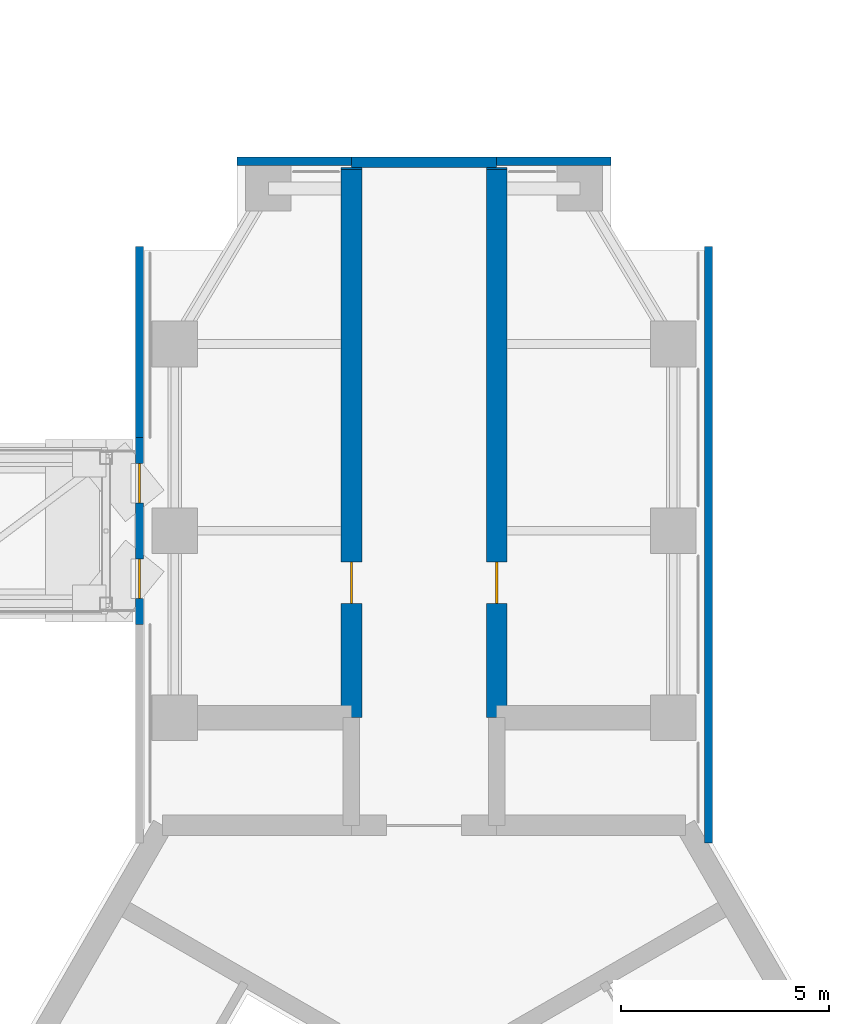
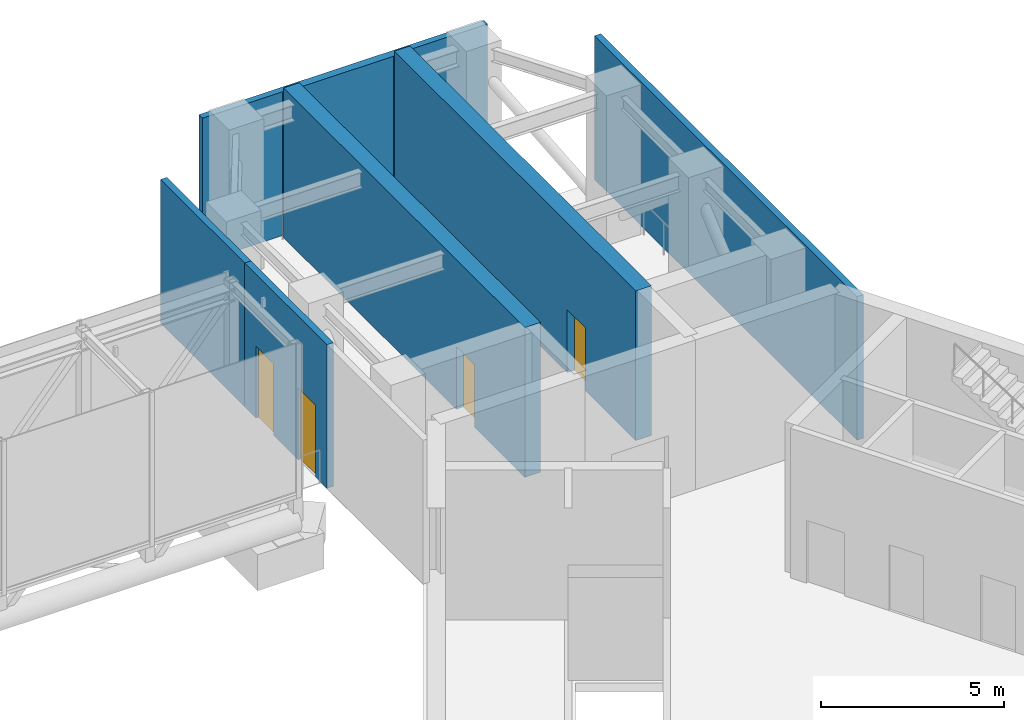
# One storey, part 11 of 15: 10 walls, 4 doors, 4 openings.
"""IFC4 building model written with IfcOpenShell, lengths in metres."""

from ifc_helpers import new_model, si_unit, direction, frame, frame_2d, origin, place, context, subcontext, project, spatial, rectangle, extrude, material, layer, layer_set, type_object, element, fill, save


model = new_model("IFC4")

# Units and contexts
model_context = context("Model", 3, precision=1e-05, world=origin(), true_north=direction((0.0, 1.0)))
body_context = subcontext(model_context, "Body", "Model", "MODEL_VIEW")
ifc_project = project(units=[si_unit("LENGTHUNIT", "METRE"), si_unit("AREAUNIT", "SQUARE_METRE"), si_unit("VOLUMEUNIT", "CUBIC_METRE"), si_unit("PLANEANGLEUNIT", "RADIAN"), si_unit("MASSUNIT", "GRAM", prefix="KILO")], contexts=[model_context])

# Site, building, storey
site_placement = place(None, origin())
site = spatial("IfcSite", under=ifc_project, at=site_placement, CompositionType="ELEMENT")
building_placement = place(site_placement, origin())
building = spatial("IfcBuilding", under=site, at=building_placement, Name="Upepo Twin Towers", CompositionType="ELEMENT")
storey_placement = place(building_placement, frame((0.0, 0.0, 238.5)))
storey = spatial("IfcBuildingStorey", under=building, at=storey_placement, Name="L58", CompositionType="ELEMENT", Elevation=238.5)

# Walls
ifc_material_1 = material(Name="Precast concrete breeze blocks", Category="concrete")
ifc_layer_1 = layer(ifc_material_1, 0.199951171875)
ifc_layer_set_1 = layer_set([ifc_layer_1], Name="Breeze-block screen wall 200")
wall_type_1 = type_object("IfcWallType", Name="Breeze-block screen wall 200", PredefinedType="USERDEFINED", material=ifc_layer_set_1)
wall_1_placement = place(storey_placement, frame((51.64990234375, 2.25, 0.0), z_axis=(0.0, 0.0, 1.0), x_axis=(0.0, 1.0, 0.0)))
element("IfcWall", 1, at=wall_1_placement, inside=storey, type_object=wall_type_1, Name="T2 L58 wing A screen L2", ObjectType="SCREEN", PredefinedType="USERDEFINED", context=body_context, shape_type="SweptSolid", body=[
    extrude(rectangle(XDim=4.60009765625, YDim=0.199951171875, at=frame_2d((2.300048828125, 0.0))), origin(), (0.0, 0.0, 1.0), 4.800048828125),
])
wall_2_placement = place(storey_placement, frame((65.35009765625, 6.85009765625, 0.0), z_axis=(0.0, 0.0, 1.0), x_axis=(0.0, -1.0, 0.0)))
element("IfcWall", 2, at=wall_2_placement, inside=storey, type_object=wall_type_1, Name="T2 L58 wing A screen R", ObjectType="SCREEN", PredefinedType="USERDEFINED", context=body_context, shape_type="SweptSolid", body=[
    extrude(rectangle(XDim=14.363037109375, YDim=0.199951171875, at=frame_2d((7.181640625, 0.0))), origin(), (0.0, 0.0, 1.0), 4.800048828125),
])
for number, where, z_axis, x_axis, name in (
    (3, (63.0, 8.89990234375, 0.0), (0.0, 0.0, 1.0), (-1.0, 0.0, 0.0), "T2 L58 wing A nose screen 0"),
    (4, (56.75, 8.89990234375, 0.0), (0.0, 0.0, 1.0), (-1.0, 0.0, 0.0), "T2 L58 wing A nose screen 2"),
):
    element("IfcWall", number, at=place(storey_placement, frame(where, z_axis=z_axis, x_axis=x_axis)), inside=storey, type_object=wall_type_1, Name=name, ObjectType="SCREEN", PredefinedType="USERDEFINED", context=body_context, shape_type="SweptSolid", body=[
        extrude(rectangle(XDim=2.75, YDim=0.199951171875, at=frame_2d((1.375, 0.0))), origin(), (0.0, 0.0, 1.0), 4.800048828125),
    ])
ifc_material_2 = material(Name="Dense concrete blockwork", Category="masonry")
ifc_layer_2 = layer(ifc_material_2, 0.5)
ifc_layer_set_2 = layer_set([ifc_layer_2], Name="Buttress closer 500, blockwork with fire-stopping to the curtain wall")
wall_type_2 = type_object("IfcWallType", Name="Buttress closer 500, blockwork with fire-stopping to the curtain wall", PredefinedType="PARTITIONING", material=ifc_layer_set_2)
for number, where, z_axis, x_axis, name in (
    (5, (56.75, 8.699951171875, 0.0), (0.0, 0.0, 1.0), (0.0, 1.0, 0.0), "T2 L58 wing A buttress closer L"),
    (6, (60.25, 8.699951171875, 0.0), (0.0, 0.0, 1.0), (0.0, 1.0, 0.0), "T2 L58 wing A buttress closer R"),
):
    element("IfcWall", number, at=place(storey_placement, frame(where, z_axis=z_axis, x_axis=x_axis)), inside=storey, type_object=wall_type_2, Name=name, PredefinedType="PARTITIONING", context=body_context, shape_type="SweptSolid", body=[
        extrude(rectangle(XDim=0.050048828125, YDim=0.5, at=frame_2d((0.02490234375, 0.0))), origin(), (0.0, 0.0, 1.0), 4.800048828125),
    ])

# Wall, opening, door
ifc_material_3 = material(Name="Concrete C60/75", Category="concrete")
ifc_layer_3 = layer(ifc_material_3, 0.5)
ifc_layer_set_3 = layer_set([ifc_layer_3], Name="Concrete C60/75")
wall_type_3 = type_object("IfcWallType", Name="Buttress wall 500 RC", PredefinedType="SHEAR", material=ifc_layer_set_3)
wall_3_placement = place(storey_placement, frame((56.75, -4.5, 0.0), z_axis=(0.0, 0.0, 1.0), x_axis=(0.0, 1.0, 0.0)))
wall_3 = element("IfcWall", 7, at=wall_3_placement, inside=storey, type_object=wall_type_3, Name="T2 wing A buttress wall L part 2", PredefinedType="SHEAR", context=body_context, shape_type="SweptSolid", body=[
    extrude(rectangle(XDim=13.199951171875, YDim=0.5, at=frame_2d((6.60009765625, 0.0))), origin(), (0.0, 0.0, 1.0), 5.0),
])
opening_1_placement = place(wall_3_placement, frame((2.75, 0.0, 0.0)))
opening_1 = element("IfcOpeningElement", 8, at=opening_1_placement, cuts=wall_3, Name="Opening D1", PredefinedType="OPENING", context=body_context, shape_type="SweptSolid", body=[
    extrude(rectangle(XDim=1.0, YDim=2.10009765625, at=frame_2d((0.5, 1.050048828125))), frame((0.0, 0.260009765625, 0.0), z_axis=(0.0, -1.0, 0.0), x_axis=(1.0, 0.0, 0.0)), (0.0, 0.0, 1.0), 0.52001953125),
])
ifc_material_4 = material(Name="Timber doorset", Category="wood")
door_type_1 = type_object("IfcDoorType", Name="Room door 1000 FD30", OperationType="SINGLE_SWING_LEFT", PredefinedType="DOOR", material=ifc_material_4)
door_1_placement = place(opening_1_placement, origin())
door_1 = element("IfcDoor", 9, at=door_1_placement, inside=storey, type_object=door_type_1, Name="T2 L58 refuge area door", OperationType="SINGLE_SWING_LEFT", OverallHeight=2.10009765625, OverallWidth=1.0, PredefinedType="DOOR", context=body_context, shape_type="SweptSolid", body=[
    extrude(rectangle(XDim=1.0, YDim=2.10009765625, at=frame_2d((0.5, 1.050048828125))), frame((0.0, 0.02490234375, 0.0), z_axis=(0.0, -1.0, 0.0), x_axis=(1.0, 0.0, 0.0)), (0.0, 0.0, 1.0), 0.050048828125),
])
fill(opening_1, door_1)

wall_4_placement = place(storey_placement, frame((60.25, -4.5, 0.0), z_axis=(0.0, 0.0, 1.0), x_axis=(0.0, 1.0, 0.0)))
wall_4 = element("IfcWall", 10, at=wall_4_placement, inside=storey, type_object=wall_type_3, Name="T2 wing A buttress wall R part 2", PredefinedType="SHEAR", context=body_context, shape_type="SweptSolid", body=[
    extrude(rectangle(XDim=13.199951171875, YDim=0.5, at=frame_2d((6.60009765625, 0.0))), origin(), (0.0, 0.0, 1.0), 5.0),
])
opening_2_placement = place(wall_4_placement, frame((2.75, 0.0, 0.0)))
opening_2 = element("IfcOpeningElement", 11, at=opening_2_placement, cuts=wall_4, Name="Opening D1", PredefinedType="OPENING", context=body_context, shape_type="SweptSolid", body=[
    extrude(rectangle(XDim=1.0, YDim=2.10009765625, at=frame_2d((0.5, 1.050048828125))), frame((0.0, 0.260009765625, 0.0), z_axis=(0.0, -1.0, 0.0), x_axis=(1.0, 0.0, 0.0)), (0.0, 0.0, 1.0), 0.52001953125),
])
door_2_placement = place(opening_2_placement, origin())
door_2 = element("IfcDoor", 12, at=door_2_placement, inside=storey, type_object=door_type_1, Name="T2 L58 air-handling plant room door", OperationType="SINGLE_SWING_LEFT", OverallHeight=2.10009765625, OverallWidth=1.0, PredefinedType="DOOR", context=body_context, shape_type="SweptSolid", body=[
    extrude(rectangle(XDim=1.0, YDim=2.10009765625, at=frame_2d((0.5, 1.050048828125))), frame((0.0, 0.02490234375, 0.0), z_axis=(0.0, -1.0, 0.0), x_axis=(1.0, 0.0, 0.0)), (0.0, 0.0, 1.0), 0.050048828125),
])
fill(opening_2, door_2)

# Wall
ifc_material_5 = material(Name="Blockwork with anodised aluminium cladding", Category="masonry")
ifc_layer_4 = layer(ifc_material_5, 0.25)
ifc_layer_set_4 = layer_set([ifc_layer_4], Name="Notch cladding wall 250, pale metal")
wall_type_4 = type_object("IfcWallType", Name="Notch cladding wall 250, pale metal", PredefinedType="STANDARD", material=ifc_layer_set_4)
wall_5_placement = place(storey_placement, frame((60.25, 8.875, 0.0), z_axis=(0.0, 0.0, 1.0), x_axis=(-1.0, 0.0, 0.0)))
element("IfcWall", 13, at=wall_5_placement, inside=storey, type_object=wall_type_4, Name="T2 L58 wing A nose wall", PredefinedType="STANDARD", context=body_context, shape_type="SweptSolid", body=[
    extrude(rectangle(XDim=3.5, YDim=0.25, at=frame_2d((1.75, 0.0))), origin(), (0.0, 0.0, 1.0), 4.800048828125),
])

# Wall, openings, doors
ifc_material_6 = material(Name="Concrete C40/50", Category="concrete")
ifc_layer_5 = layer(ifc_material_6, 0.25)
ifc_layer_set_5 = layer_set([ifc_layer_5], Name="Concrete C40/50")
wall_type_5 = type_object("IfcWallType", Name="Refuge fire wall 250 RC", PredefinedType="STANDARD", material=ifc_layer_set_5)
wall_6_placement = place(storey_placement, frame((51.64990234375, -2.25, 0.0), z_axis=(0.0, 0.0, 1.0), x_axis=(0.0, 1.0, 0.0)))
wall_6 = element("IfcWall", 14, at=wall_6_placement, inside=storey, type_object=wall_type_5, Name="T2 L58 bridge landing fire wall", PredefinedType="STANDARD", context=body_context, shape_type="SweptSolid", body=[
    extrude(rectangle(XDim=4.5, YDim=0.199951171875, at=frame_2d((2.25, 0.0))), origin(), (0.0, 0.0, 1.0), 4.800048828125),
])
opening_3_placement = place(wall_6_placement, frame((0.625, 0.0, 0.0)))
opening_3 = element("IfcOpeningElement", 15, at=opening_3_placement, cuts=wall_6, Name="Opening D12", PredefinedType="OPENING", context=body_context, shape_type="SweptSolid", body=[
    extrude(rectangle(XDim=0.949951171875, YDim=2.39990234375, at=frame_2d((0.47509765625, 1.199951171875))), frame((0.0, 0.10986328125, 0.0), z_axis=(0.0, -1.0, 0.0), x_axis=(1.0, 0.0, 0.0)), (0.0, 0.0, 1.0), 0.219970703125),
])
opening_4_placement = place(wall_6_placement, frame((2.925048828125, 0.0, 0.0)))
opening_4 = element("IfcOpeningElement", 16, at=opening_4_placement, cuts=wall_6, Name="Opening D12", PredefinedType="OPENING", context=body_context, shape_type="SweptSolid", body=[
    extrude(rectangle(XDim=0.949951171875, YDim=2.39990234375, at=frame_2d((0.47509765625, 1.199951171875))), frame((0.0, 0.10986328125, 0.0), z_axis=(0.0, -1.0, 0.0), x_axis=(1.0, 0.0, 0.0)), (0.0, 0.0, 1.0), 0.219970703125),
])
ifc_material_7 = material(Name="Aluminium glazed doorset", Category="aluminium")
door_type_2 = type_object("IfcDoorType", Name="Bridge door 950 FD60", OperationType="SINGLE_SWING_LEFT", PredefinedType="DOOR", material=ifc_material_7)
door_3_placement = place(opening_3_placement, origin())
door_3 = element("IfcDoor", 17, at=door_3_placement, inside=storey, type_object=door_type_2, Name="T2 L58 bridge door 1", OperationType="SINGLE_SWING_LEFT", OverallHeight=2.39990234375, OverallWidth=0.949951171875, PredefinedType="DOOR", context=body_context, shape_type="SweptSolid", body=[
    extrude(rectangle(XDim=0.949951171875, YDim=2.39990234375, at=frame_2d((0.47509765625, 1.199951171875))), frame((0.0, 0.02490234375, 0.0), z_axis=(0.0, -1.0, 0.0), x_axis=(1.0, 0.0, 0.0)), (0.0, 0.0, 1.0), 0.050048828125),
])
fill(opening_3, door_3)
door_4_placement = place(opening_4_placement, origin())
door_4 = element("IfcDoor", 18, at=door_4_placement, inside=storey, type_object=door_type_2, Name="T2 L58 bridge door 2", OperationType="SINGLE_SWING_RIGHT", OverallHeight=2.39990234375, OverallWidth=0.949951171875, PredefinedType="DOOR", context=body_context, shape_type="SweptSolid", body=[
    extrude(rectangle(XDim=0.949951171875, YDim=2.39990234375, at=frame_2d((0.47509765625, 1.199951171875))), frame((0.0, 0.02490234375, 0.0), z_axis=(0.0, -1.0, 0.0), x_axis=(1.0, 0.0, 0.0)), (0.0, 0.0, 1.0), 0.050048828125),
])
fill(opening_4, door_4)

save(model, "model.ifc")
